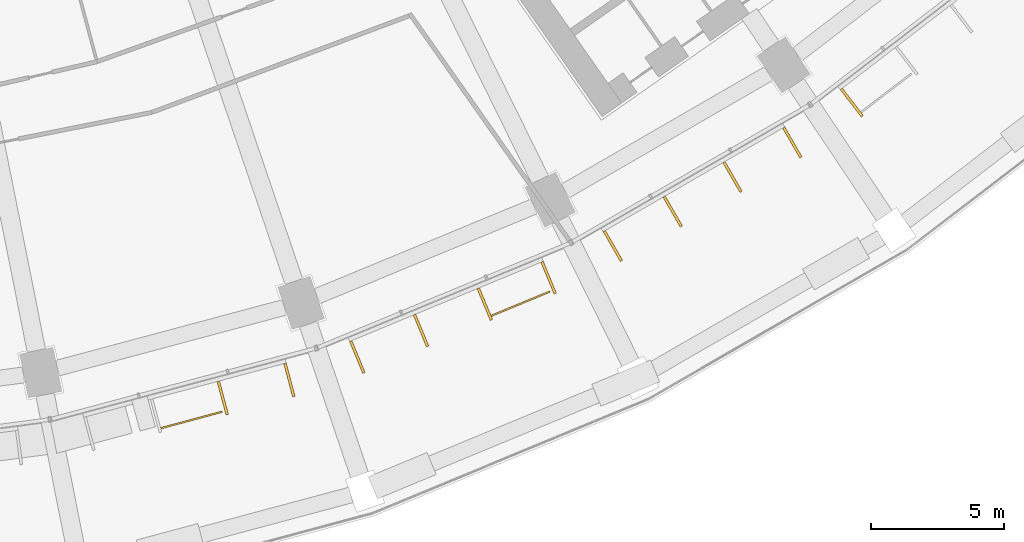
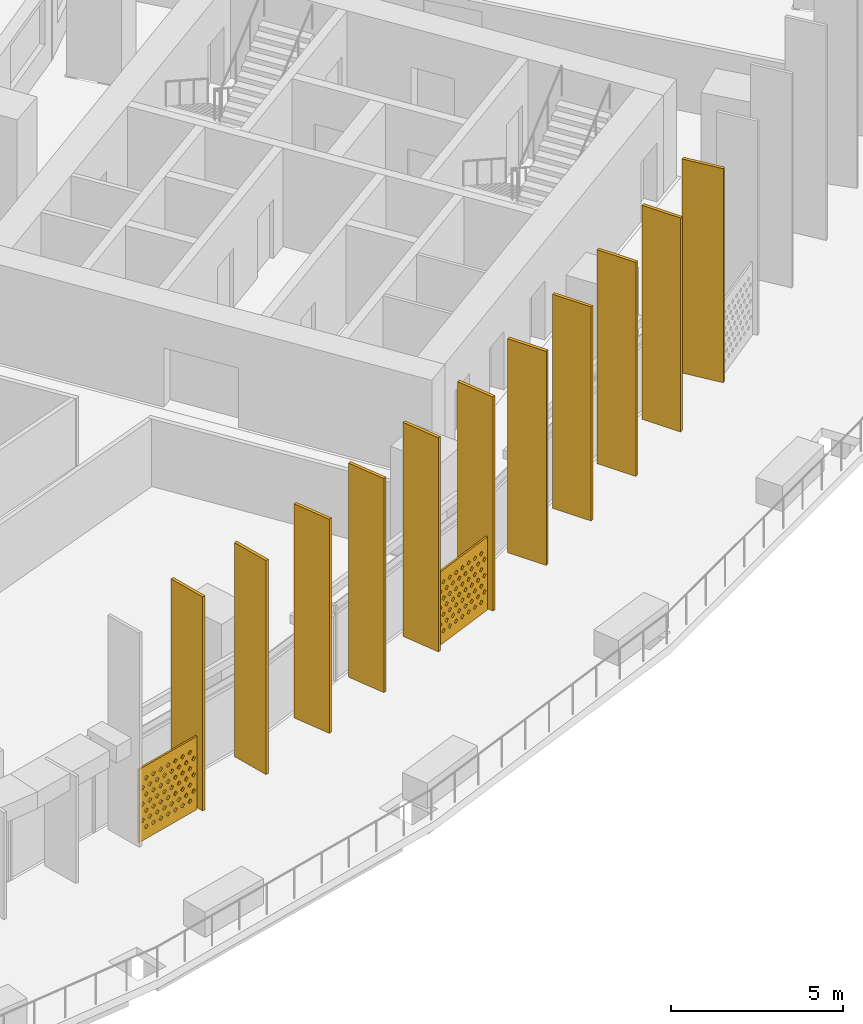
# One storey, part 31 of 35: 13 shading devices.
"""IFC4 building model written with IfcOpenShell, lengths in metres."""

from ifc_helpers import new_model, si_unit, direction, frame, origin, origin_2d, place, context, subcontext, project, spatial, polyline, rectangle, outline, extrude, material, material_profile, profile_set, type_object, element, save


model = new_model("IFC4")

# Units and contexts
model_context = context("Model", 3, precision=1e-05, world=origin(), true_north=direction((0.0, 1.0)))
body_context = subcontext(model_context, "Body", "Model", "MODEL_VIEW")
ifc_project = project(units=[si_unit("LENGTHUNIT", "METRE"), si_unit("AREAUNIT", "SQUARE_METRE"), si_unit("VOLUMEUNIT", "CUBIC_METRE"), si_unit("PLANEANGLEUNIT", "RADIAN"), si_unit("MASSUNIT", "GRAM", prefix="KILO")], contexts=[model_context])

# Site, building, storey
site_placement = place(None, origin())
site = spatial("IfcSite", under=ifc_project, at=site_placement, CompositionType="ELEMENT")
building_placement = place(site_placement, origin())
building = spatial("IfcBuilding", under=site, at=building_placement, Name="Qamariyya Broadcast Tower", CompositionType="ELEMENT")
storey_placement = place(building_placement, frame((0.0, 0.0, 40.5)))
storey = spatial("IfcBuildingStorey", under=building, at=storey_placement, Name="L06", CompositionType="ELEMENT", Elevation=40.5)

# Shading devices
ifc_material_1 = material(Name="Perforated glazed terracotta", Category="masonry")
ifc_material_profile_1 = material_profile(ifc_material_1, outline(polyline([(-1.199951171875, -1.300048828125), (1.199951171875, -1.300048828125), (1.199951171875, 1.300048828125), (-1.199951171875, 1.300048828125), (-1.199951171875, -1.300048828125)]), holes=[polyline([(-0.81494140625, -0.86669921875), (-0.89990234375, -0.78173828125), (-0.985107421875, -0.86669921875), (-0.89990234375, -0.95166015625), (-0.81494140625, -0.86669921875)]), polyline([(-0.514892578125, -0.86669921875), (-0.60009765625, -0.78173828125), (-0.68505859375, -0.86669921875), (-0.60009765625, -0.95166015625), (-0.514892578125, -0.86669921875)]), polyline([(-0.215087890625, -0.86669921875), (-0.300048828125, -0.78173828125), (-0.385009765625, -0.86669921875), (-0.300048828125, -0.95166015625), (-0.215087890625, -0.86669921875)]), polyline([(0.0849609375, -0.86669921875), (0.0, -0.78173828125), (-0.0849609375, -0.86669921875), (0.0, -0.95166015625), (0.0849609375, -0.86669921875)]), polyline([(0.385009765625, -0.86669921875), (0.300048828125, -0.78173828125), (0.215087890625, -0.86669921875), (0.300048828125, -0.95166015625), (0.385009765625, -0.86669921875)]), polyline([(0.68505859375, -0.86669921875), (0.60009765625, -0.78173828125), (0.514892578125, -0.86669921875), (0.60009765625, -0.95166015625), (0.68505859375, -0.86669921875)]), polyline([(0.985107421875, -0.86669921875), (0.89990234375, -0.78173828125), (0.81494140625, -0.86669921875), (0.89990234375, -0.95166015625), (0.985107421875, -0.86669921875)]), polyline([(-0.965087890625, -0.577880859375), (-1.050048828125, -0.49267578125), (-1.135009765625, -0.577880859375), (-1.050048828125, -0.662841796875), (-0.965087890625, -0.577880859375)]), polyline([(-0.6650390625, -0.577880859375), (-0.75, -0.49267578125), (-0.8349609375, -0.577880859375), (-0.75, -0.662841796875), (-0.6650390625, -0.577880859375)]), polyline([(-0.364990234375, -0.577880859375), (-0.449951171875, -0.49267578125), (-0.534912109375, -0.577880859375), (-0.449951171875, -0.662841796875), (-0.364990234375, -0.577880859375)]), polyline([(-0.06494140625, -0.577880859375), (-0.14990234375, -0.49267578125), (-0.235107421875, -0.577880859375), (-0.14990234375, -0.662841796875), (-0.06494140625, -0.577880859375)]), polyline([(0.235107421875, -0.577880859375), (0.14990234375, -0.49267578125), (0.06494140625, -0.577880859375), (0.14990234375, -0.662841796875), (0.235107421875, -0.577880859375)]), polyline([(0.534912109375, -0.577880859375), (0.449951171875, -0.49267578125), (0.364990234375, -0.577880859375), (0.449951171875, -0.662841796875), (0.534912109375, -0.577880859375)]), polyline([(0.8349609375, -0.577880859375), (0.75, -0.49267578125), (0.6650390625, -0.577880859375), (0.75, -0.662841796875), (0.8349609375, -0.577880859375)]), polyline([(1.135009765625, -0.577880859375), (1.050048828125, -0.49267578125), (0.965087890625, -0.577880859375), (1.050048828125, -0.662841796875), (1.135009765625, -0.577880859375)]), polyline([(-0.81494140625, -0.288818359375), (-0.89990234375, -0.203857421875), (-0.985107421875, -0.288818359375), (-0.89990234375, -0.373779296875), (-0.81494140625, -0.288818359375)]), polyline([(-0.514892578125, -0.288818359375), (-0.60009765625, -0.203857421875), (-0.68505859375, -0.288818359375), (-0.60009765625, -0.373779296875), (-0.514892578125, -0.288818359375)]), polyline([(-0.215087890625, -0.288818359375), (-0.300048828125, -0.203857421875), (-0.385009765625, -0.288818359375), (-0.300048828125, -0.373779296875), (-0.215087890625, -0.288818359375)]), polyline([(0.0849609375, -0.288818359375), (0.0, -0.203857421875), (-0.0849609375, -0.288818359375), (0.0, -0.373779296875), (0.0849609375, -0.288818359375)]), polyline([(0.385009765625, -0.288818359375), (0.300048828125, -0.203857421875), (0.215087890625, -0.288818359375), (0.300048828125, -0.373779296875), (0.385009765625, -0.288818359375)]), polyline([(0.68505859375, -0.288818359375), (0.60009765625, -0.203857421875), (0.514892578125, -0.288818359375), (0.60009765625, -0.373779296875), (0.68505859375, -0.288818359375)]), polyline([(0.985107421875, -0.288818359375), (0.89990234375, -0.203857421875), (0.81494140625, -0.288818359375), (0.89990234375, -0.373779296875), (0.985107421875, -0.288818359375)]), polyline([(-0.965087890625, 0.0), (-1.050048828125, 0.0849609375), (-1.135009765625, 0.0), (-1.050048828125, -0.0849609375), (-0.965087890625, 0.0)]), polyline([(-0.6650390625, 0.0), (-0.75, 0.0849609375), (-0.8349609375, 0.0), (-0.75, -0.0849609375), (-0.6650390625, 0.0)]), polyline([(-0.364990234375, 0.0), (-0.449951171875, 0.0849609375), (-0.534912109375, 0.0), (-0.449951171875, -0.0849609375), (-0.364990234375, 0.0)]), polyline([(-0.06494140625, 0.0), (-0.14990234375, 0.0849609375), (-0.235107421875, 0.0), (-0.14990234375, -0.0849609375), (-0.06494140625, 0.0)]), polyline([(0.235107421875, 0.0), (0.14990234375, 0.0849609375), (0.06494140625, 0.0), (0.14990234375, -0.0849609375), (0.235107421875, 0.0)]), polyline([(0.534912109375, 0.0), (0.449951171875, 0.0849609375), (0.364990234375, 0.0), (0.449951171875, -0.0849609375), (0.534912109375, 0.0)]), polyline([(0.8349609375, 0.0), (0.75, 0.0849609375), (0.6650390625, 0.0), (0.75, -0.0849609375), (0.8349609375, 0.0)]), polyline([(1.135009765625, 0.0), (1.050048828125, 0.0849609375), (0.965087890625, 0.0), (1.050048828125, -0.0849609375), (1.135009765625, 0.0)]), polyline([(-0.81494140625, 0.288818359375), (-0.89990234375, 0.373779296875), (-0.985107421875, 0.288818359375), (-0.89990234375, 0.203857421875), (-0.81494140625, 0.288818359375)]), polyline([(-0.514892578125, 0.288818359375), (-0.60009765625, 0.373779296875), (-0.68505859375, 0.288818359375), (-0.60009765625, 0.203857421875), (-0.514892578125, 0.288818359375)]), polyline([(-0.215087890625, 0.288818359375), (-0.300048828125, 0.373779296875), (-0.385009765625, 0.288818359375), (-0.300048828125, 0.203857421875), (-0.215087890625, 0.288818359375)]), polyline([(0.0849609375, 0.288818359375), (0.0, 0.373779296875), (-0.0849609375, 0.288818359375), (0.0, 0.203857421875), (0.0849609375, 0.288818359375)]), polyline([(0.385009765625, 0.288818359375), (0.300048828125, 0.373779296875), (0.215087890625, 0.288818359375), (0.300048828125, 0.203857421875), (0.385009765625, 0.288818359375)]), polyline([(0.68505859375, 0.288818359375), (0.60009765625, 0.373779296875), (0.514892578125, 0.288818359375), (0.60009765625, 0.203857421875), (0.68505859375, 0.288818359375)]), polyline([(0.985107421875, 0.288818359375), (0.89990234375, 0.373779296875), (0.81494140625, 0.288818359375), (0.89990234375, 0.203857421875), (0.985107421875, 0.288818359375)]), polyline([(-0.965087890625, 0.577880859375), (-1.050048828125, 0.662841796875), (-1.135009765625, 0.577880859375), (-1.050048828125, 0.49267578125), (-0.965087890625, 0.577880859375)]), polyline([(-0.6650390625, 0.577880859375), (-0.75, 0.662841796875), (-0.8349609375, 0.577880859375), (-0.75, 0.49267578125), (-0.6650390625, 0.577880859375)]), polyline([(-0.364990234375, 0.577880859375), (-0.449951171875, 0.662841796875), (-0.534912109375, 0.577880859375), (-0.449951171875, 0.49267578125), (-0.364990234375, 0.577880859375)]), polyline([(-0.06494140625, 0.577880859375), (-0.14990234375, 0.662841796875), (-0.235107421875, 0.577880859375), (-0.14990234375, 0.49267578125), (-0.06494140625, 0.577880859375)]), polyline([(0.235107421875, 0.577880859375), (0.14990234375, 0.662841796875), (0.06494140625, 0.577880859375), (0.14990234375, 0.49267578125), (0.235107421875, 0.577880859375)]), polyline([(0.534912109375, 0.577880859375), (0.449951171875, 0.662841796875), (0.364990234375, 0.577880859375), (0.449951171875, 0.49267578125), (0.534912109375, 0.577880859375)]), polyline([(0.8349609375, 0.577880859375), (0.75, 0.662841796875), (0.6650390625, 0.577880859375), (0.75, 0.49267578125), (0.8349609375, 0.577880859375)]), polyline([(1.135009765625, 0.577880859375), (1.050048828125, 0.662841796875), (0.965087890625, 0.577880859375), (1.050048828125, 0.49267578125), (1.135009765625, 0.577880859375)]), polyline([(-0.81494140625, 0.86669921875), (-0.89990234375, 0.95166015625), (-0.985107421875, 0.86669921875), (-0.89990234375, 0.78173828125), (-0.81494140625, 0.86669921875)]), polyline([(-0.514892578125, 0.86669921875), (-0.60009765625, 0.95166015625), (-0.68505859375, 0.86669921875), (-0.60009765625, 0.78173828125), (-0.514892578125, 0.86669921875)]), polyline([(-0.215087890625, 0.86669921875), (-0.300048828125, 0.95166015625), (-0.385009765625, 0.86669921875), (-0.300048828125, 0.78173828125), (-0.215087890625, 0.86669921875)]), polyline([(0.0849609375, 0.86669921875), (0.0, 0.95166015625), (-0.0849609375, 0.86669921875), (0.0, 0.78173828125), (0.0849609375, 0.86669921875)]), polyline([(0.385009765625, 0.86669921875), (0.300048828125, 0.95166015625), (0.215087890625, 0.86669921875), (0.300048828125, 0.78173828125), (0.385009765625, 0.86669921875)]), polyline([(0.68505859375, 0.86669921875), (0.60009765625, 0.95166015625), (0.514892578125, 0.86669921875), (0.60009765625, 0.78173828125), (0.68505859375, 0.86669921875)]), polyline([(0.985107421875, 0.86669921875), (0.89990234375, 0.95166015625), (0.81494140625, 0.86669921875), (0.89990234375, 0.78173828125), (0.985107421875, 0.86669921875)])]))
ifc_profile_set_1 = profile_set([ifc_material_profile_1], Name="Perforated glazed terracotta")
shading_device_type_1 = type_object("IfcShadingDeviceType", Name="Perforated terracotta screen 2400 x 2600", PredefinedType="USERDEFINED", material=ifc_profile_set_1)
shading_device_1_placement = place(storey_placement, frame((20.848876953125, -78.011474609375, 1.35009765625), z_axis=(0.259682438219, -0.965694067125, 0.0), x_axis=(0.965694067125, 0.259682438219, 0.0)))
element("IfcShadingDevice", 1, at=shading_device_1_placement, inside=storey, type_object=shading_device_type_1, Name="e-scr-L06-10-1", ObjectType="SCREEN", PredefinedType="USERDEFINED", context=body_context, shape_type="SweptSolid", body=[
    extrude(outline(polyline([(-1.199951171875, -1.300048828125), (1.199951171875, -1.300048828125), (1.199951171875, 1.300048828125), (-1.199951171875, 1.300048828125), (-1.199951171875, -1.300048828125)]), holes=[polyline([(-0.81494140625, -0.86669921875), (-0.89990234375, -0.78173828125), (-0.985107421875, -0.86669921875), (-0.89990234375, -0.95166015625), (-0.81494140625, -0.86669921875)]), polyline([(-0.514892578125, -0.86669921875), (-0.60009765625, -0.78173828125), (-0.68505859375, -0.86669921875), (-0.60009765625, -0.95166015625), (-0.514892578125, -0.86669921875)]), polyline([(-0.215087890625, -0.86669921875), (-0.300048828125, -0.78173828125), (-0.385009765625, -0.86669921875), (-0.300048828125, -0.95166015625), (-0.215087890625, -0.86669921875)]), polyline([(0.0849609375, -0.86669921875), (0.0, -0.78173828125), (-0.0849609375, -0.86669921875), (0.0, -0.95166015625), (0.0849609375, -0.86669921875)]), polyline([(0.385009765625, -0.86669921875), (0.300048828125, -0.78173828125), (0.215087890625, -0.86669921875), (0.300048828125, -0.95166015625), (0.385009765625, -0.86669921875)]), polyline([(0.68505859375, -0.86669921875), (0.60009765625, -0.78173828125), (0.514892578125, -0.86669921875), (0.60009765625, -0.95166015625), (0.68505859375, -0.86669921875)]), polyline([(0.985107421875, -0.86669921875), (0.89990234375, -0.78173828125), (0.81494140625, -0.86669921875), (0.89990234375, -0.95166015625), (0.985107421875, -0.86669921875)]), polyline([(-0.965087890625, -0.577880859375), (-1.050048828125, -0.49267578125), (-1.135009765625, -0.577880859375), (-1.050048828125, -0.662841796875), (-0.965087890625, -0.577880859375)]), polyline([(-0.6650390625, -0.577880859375), (-0.75, -0.49267578125), (-0.8349609375, -0.577880859375), (-0.75, -0.662841796875), (-0.6650390625, -0.577880859375)]), polyline([(-0.364990234375, -0.577880859375), (-0.449951171875, -0.49267578125), (-0.534912109375, -0.577880859375), (-0.449951171875, -0.662841796875), (-0.364990234375, -0.577880859375)]), polyline([(-0.06494140625, -0.577880859375), (-0.14990234375, -0.49267578125), (-0.235107421875, -0.577880859375), (-0.14990234375, -0.662841796875), (-0.06494140625, -0.577880859375)]), polyline([(0.235107421875, -0.577880859375), (0.14990234375, -0.49267578125), (0.06494140625, -0.577880859375), (0.14990234375, -0.662841796875), (0.235107421875, -0.577880859375)]), polyline([(0.534912109375, -0.577880859375), (0.449951171875, -0.49267578125), (0.364990234375, -0.577880859375), (0.449951171875, -0.662841796875), (0.534912109375, -0.577880859375)]), polyline([(0.8349609375, -0.577880859375), (0.75, -0.49267578125), (0.6650390625, -0.577880859375), (0.75, -0.662841796875), (0.8349609375, -0.577880859375)]), polyline([(1.135009765625, -0.577880859375), (1.050048828125, -0.49267578125), (0.965087890625, -0.577880859375), (1.050048828125, -0.662841796875), (1.135009765625, -0.577880859375)]), polyline([(-0.81494140625, -0.288818359375), (-0.89990234375, -0.203857421875), (-0.985107421875, -0.288818359375), (-0.89990234375, -0.373779296875), (-0.81494140625, -0.288818359375)]), polyline([(-0.514892578125, -0.288818359375), (-0.60009765625, -0.203857421875), (-0.68505859375, -0.288818359375), (-0.60009765625, -0.373779296875), (-0.514892578125, -0.288818359375)]), polyline([(-0.215087890625, -0.288818359375), (-0.300048828125, -0.203857421875), (-0.385009765625, -0.288818359375), (-0.300048828125, -0.373779296875), (-0.215087890625, -0.288818359375)]), polyline([(0.0849609375, -0.288818359375), (0.0, -0.203857421875), (-0.0849609375, -0.288818359375), (0.0, -0.373779296875), (0.0849609375, -0.288818359375)]), polyline([(0.385009765625, -0.288818359375), (0.300048828125, -0.203857421875), (0.215087890625, -0.288818359375), (0.300048828125, -0.373779296875), (0.385009765625, -0.288818359375)]), polyline([(0.68505859375, -0.288818359375), (0.60009765625, -0.203857421875), (0.514892578125, -0.288818359375), (0.60009765625, -0.373779296875), (0.68505859375, -0.288818359375)]), polyline([(0.985107421875, -0.288818359375), (0.89990234375, -0.203857421875), (0.81494140625, -0.288818359375), (0.89990234375, -0.373779296875), (0.985107421875, -0.288818359375)]), polyline([(-0.965087890625, 0.0), (-1.050048828125, 0.0849609375), (-1.135009765625, 0.0), (-1.050048828125, -0.0849609375), (-0.965087890625, 0.0)]), polyline([(-0.6650390625, 0.0), (-0.75, 0.0849609375), (-0.8349609375, 0.0), (-0.75, -0.0849609375), (-0.6650390625, 0.0)]), polyline([(-0.364990234375, 0.0), (-0.449951171875, 0.0849609375), (-0.534912109375, 0.0), (-0.449951171875, -0.0849609375), (-0.364990234375, 0.0)]), polyline([(-0.06494140625, 0.0), (-0.14990234375, 0.0849609375), (-0.235107421875, 0.0), (-0.14990234375, -0.0849609375), (-0.06494140625, 0.0)]), polyline([(0.235107421875, 0.0), (0.14990234375, 0.0849609375), (0.06494140625, 0.0), (0.14990234375, -0.0849609375), (0.235107421875, 0.0)]), polyline([(0.534912109375, 0.0), (0.449951171875, 0.0849609375), (0.364990234375, 0.0), (0.449951171875, -0.0849609375), (0.534912109375, 0.0)]), polyline([(0.8349609375, 0.0), (0.75, 0.0849609375), (0.6650390625, 0.0), (0.75, -0.0849609375), (0.8349609375, 0.0)]), polyline([(1.135009765625, 0.0), (1.050048828125, 0.0849609375), (0.965087890625, 0.0), (1.050048828125, -0.0849609375), (1.135009765625, 0.0)]), polyline([(-0.81494140625, 0.288818359375), (-0.89990234375, 0.373779296875), (-0.985107421875, 0.288818359375), (-0.89990234375, 0.203857421875), (-0.81494140625, 0.288818359375)]), polyline([(-0.514892578125, 0.288818359375), (-0.60009765625, 0.373779296875), (-0.68505859375, 0.288818359375), (-0.60009765625, 0.203857421875), (-0.514892578125, 0.288818359375)]), polyline([(-0.215087890625, 0.288818359375), (-0.300048828125, 0.373779296875), (-0.385009765625, 0.288818359375), (-0.300048828125, 0.203857421875), (-0.215087890625, 0.288818359375)]), polyline([(0.0849609375, 0.288818359375), (0.0, 0.373779296875), (-0.0849609375, 0.288818359375), (0.0, 0.203857421875), (0.0849609375, 0.288818359375)]), polyline([(0.385009765625, 0.288818359375), (0.300048828125, 0.373779296875), (0.215087890625, 0.288818359375), (0.300048828125, 0.203857421875), (0.385009765625, 0.288818359375)]), polyline([(0.68505859375, 0.288818359375), (0.60009765625, 0.373779296875), (0.514892578125, 0.288818359375), (0.60009765625, 0.203857421875), (0.68505859375, 0.288818359375)]), polyline([(0.985107421875, 0.288818359375), (0.89990234375, 0.373779296875), (0.81494140625, 0.288818359375), (0.89990234375, 0.203857421875), (0.985107421875, 0.288818359375)]), polyline([(-0.965087890625, 0.577880859375), (-1.050048828125, 0.662841796875), (-1.135009765625, 0.577880859375), (-1.050048828125, 0.49267578125), (-0.965087890625, 0.577880859375)]), polyline([(-0.6650390625, 0.577880859375), (-0.75, 0.662841796875), (-0.8349609375, 0.577880859375), (-0.75, 0.49267578125), (-0.6650390625, 0.577880859375)]), polyline([(-0.364990234375, 0.577880859375), (-0.449951171875, 0.662841796875), (-0.534912109375, 0.577880859375), (-0.449951171875, 0.49267578125), (-0.364990234375, 0.577880859375)]), polyline([(-0.06494140625, 0.577880859375), (-0.14990234375, 0.662841796875), (-0.235107421875, 0.577880859375), (-0.14990234375, 0.49267578125), (-0.06494140625, 0.577880859375)]), polyline([(0.235107421875, 0.577880859375), (0.14990234375, 0.662841796875), (0.06494140625, 0.577880859375), (0.14990234375, 0.49267578125), (0.235107421875, 0.577880859375)]), polyline([(0.534912109375, 0.577880859375), (0.449951171875, 0.662841796875), (0.364990234375, 0.577880859375), (0.449951171875, 0.49267578125), (0.534912109375, 0.577880859375)]), polyline([(0.8349609375, 0.577880859375), (0.75, 0.662841796875), (0.6650390625, 0.577880859375), (0.75, 0.49267578125), (0.8349609375, 0.577880859375)]), polyline([(1.135009765625, 0.577880859375), (1.050048828125, 0.662841796875), (0.965087890625, 0.577880859375), (1.050048828125, 0.49267578125), (1.135009765625, 0.577880859375)]), polyline([(-0.81494140625, 0.86669921875), (-0.89990234375, 0.95166015625), (-0.985107421875, 0.86669921875), (-0.89990234375, 0.78173828125), (-0.81494140625, 0.86669921875)]), polyline([(-0.514892578125, 0.86669921875), (-0.60009765625, 0.95166015625), (-0.68505859375, 0.86669921875), (-0.60009765625, 0.78173828125), (-0.514892578125, 0.86669921875)]), polyline([(-0.215087890625, 0.86669921875), (-0.300048828125, 0.95166015625), (-0.385009765625, 0.86669921875), (-0.300048828125, 0.78173828125), (-0.215087890625, 0.86669921875)]), polyline([(0.0849609375, 0.86669921875), (0.0, 0.95166015625), (-0.0849609375, 0.86669921875), (0.0, 0.78173828125), (0.0849609375, 0.86669921875)]), polyline([(0.385009765625, 0.86669921875), (0.300048828125, 0.95166015625), (0.215087890625, 0.86669921875), (0.300048828125, 0.78173828125), (0.385009765625, 0.86669921875)]), polyline([(0.68505859375, 0.86669921875), (0.60009765625, 0.95166015625), (0.514892578125, 0.86669921875), (0.60009765625, 0.78173828125), (0.68505859375, 0.86669921875)]), polyline([(0.985107421875, 0.86669921875), (0.89990234375, 0.95166015625), (0.81494140625, 0.86669921875), (0.89990234375, 0.78173828125), (0.985107421875, 0.86669921875)])]), origin(), (0.0, 0.0, 1.0), 0.06005859375),
])
shading_device_2_placement = place(storey_placement, frame((33.259521484375, -73.6259765625, 1.35009765625), z_axis=(0.382591441855, -0.923917630863, 0.0), x_axis=(0.923917630863, 0.382591441855, 0.0)))
element("IfcShadingDevice", 2, at=shading_device_2_placement, inside=storey, type_object=shading_device_type_1, Name="e-scr-L06-11-2", ObjectType="SCREEN", PredefinedType="USERDEFINED", context=body_context, shape_type="SweptSolid", body=[
    extrude(outline(polyline([(-1.199951171875, -1.300048828125), (1.199951171875, -1.300048828125), (1.199951171875, 1.300048828125), (-1.199951171875, 1.300048828125), (-1.199951171875, -1.300048828125)]), holes=[polyline([(-0.81494140625, -0.86669921875), (-0.89990234375, -0.78173828125), (-0.985107421875, -0.86669921875), (-0.89990234375, -0.95166015625), (-0.81494140625, -0.86669921875)]), polyline([(-0.514892578125, -0.86669921875), (-0.60009765625, -0.78173828125), (-0.68505859375, -0.86669921875), (-0.60009765625, -0.95166015625), (-0.514892578125, -0.86669921875)]), polyline([(-0.215087890625, -0.86669921875), (-0.300048828125, -0.78173828125), (-0.385009765625, -0.86669921875), (-0.300048828125, -0.95166015625), (-0.215087890625, -0.86669921875)]), polyline([(0.0849609375, -0.86669921875), (0.0, -0.78173828125), (-0.0849609375, -0.86669921875), (0.0, -0.95166015625), (0.0849609375, -0.86669921875)]), polyline([(0.385009765625, -0.86669921875), (0.300048828125, -0.78173828125), (0.215087890625, -0.86669921875), (0.300048828125, -0.95166015625), (0.385009765625, -0.86669921875)]), polyline([(0.68505859375, -0.86669921875), (0.60009765625, -0.78173828125), (0.514892578125, -0.86669921875), (0.60009765625, -0.95166015625), (0.68505859375, -0.86669921875)]), polyline([(0.985107421875, -0.86669921875), (0.89990234375, -0.78173828125), (0.81494140625, -0.86669921875), (0.89990234375, -0.95166015625), (0.985107421875, -0.86669921875)]), polyline([(-0.965087890625, -0.577880859375), (-1.050048828125, -0.49267578125), (-1.135009765625, -0.577880859375), (-1.050048828125, -0.662841796875), (-0.965087890625, -0.577880859375)]), polyline([(-0.6650390625, -0.577880859375), (-0.75, -0.49267578125), (-0.8349609375, -0.577880859375), (-0.75, -0.662841796875), (-0.6650390625, -0.577880859375)]), polyline([(-0.364990234375, -0.577880859375), (-0.449951171875, -0.49267578125), (-0.534912109375, -0.577880859375), (-0.449951171875, -0.662841796875), (-0.364990234375, -0.577880859375)]), polyline([(-0.06494140625, -0.577880859375), (-0.14990234375, -0.49267578125), (-0.235107421875, -0.577880859375), (-0.14990234375, -0.662841796875), (-0.06494140625, -0.577880859375)]), polyline([(0.235107421875, -0.577880859375), (0.14990234375, -0.49267578125), (0.06494140625, -0.577880859375), (0.14990234375, -0.662841796875), (0.235107421875, -0.577880859375)]), polyline([(0.534912109375, -0.577880859375), (0.449951171875, -0.49267578125), (0.364990234375, -0.577880859375), (0.449951171875, -0.662841796875), (0.534912109375, -0.577880859375)]), polyline([(0.8349609375, -0.577880859375), (0.75, -0.49267578125), (0.6650390625, -0.577880859375), (0.75, -0.662841796875), (0.8349609375, -0.577880859375)]), polyline([(1.135009765625, -0.577880859375), (1.050048828125, -0.49267578125), (0.965087890625, -0.577880859375), (1.050048828125, -0.662841796875), (1.135009765625, -0.577880859375)]), polyline([(-0.81494140625, -0.288818359375), (-0.89990234375, -0.203857421875), (-0.985107421875, -0.288818359375), (-0.89990234375, -0.373779296875), (-0.81494140625, -0.288818359375)]), polyline([(-0.514892578125, -0.288818359375), (-0.60009765625, -0.203857421875), (-0.68505859375, -0.288818359375), (-0.60009765625, -0.373779296875), (-0.514892578125, -0.288818359375)]), polyline([(-0.215087890625, -0.288818359375), (-0.300048828125, -0.203857421875), (-0.385009765625, -0.288818359375), (-0.300048828125, -0.373779296875), (-0.215087890625, -0.288818359375)]), polyline([(0.0849609375, -0.288818359375), (0.0, -0.203857421875), (-0.0849609375, -0.288818359375), (0.0, -0.373779296875), (0.0849609375, -0.288818359375)]), polyline([(0.385009765625, -0.288818359375), (0.300048828125, -0.203857421875), (0.215087890625, -0.288818359375), (0.300048828125, -0.373779296875), (0.385009765625, -0.288818359375)]), polyline([(0.68505859375, -0.288818359375), (0.60009765625, -0.203857421875), (0.514892578125, -0.288818359375), (0.60009765625, -0.373779296875), (0.68505859375, -0.288818359375)]), polyline([(0.985107421875, -0.288818359375), (0.89990234375, -0.203857421875), (0.81494140625, -0.288818359375), (0.89990234375, -0.373779296875), (0.985107421875, -0.288818359375)]), polyline([(-0.965087890625, 0.0), (-1.050048828125, 0.0849609375), (-1.135009765625, 0.0), (-1.050048828125, -0.0849609375), (-0.965087890625, 0.0)]), polyline([(-0.6650390625, 0.0), (-0.75, 0.0849609375), (-0.8349609375, 0.0), (-0.75, -0.0849609375), (-0.6650390625, 0.0)]), polyline([(-0.364990234375, 0.0), (-0.449951171875, 0.0849609375), (-0.534912109375, 0.0), (-0.449951171875, -0.0849609375), (-0.364990234375, 0.0)]), polyline([(-0.06494140625, 0.0), (-0.14990234375, 0.0849609375), (-0.235107421875, 0.0), (-0.14990234375, -0.0849609375), (-0.06494140625, 0.0)]), polyline([(0.235107421875, 0.0), (0.14990234375, 0.0849609375), (0.06494140625, 0.0), (0.14990234375, -0.0849609375), (0.235107421875, 0.0)]), polyline([(0.534912109375, 0.0), (0.449951171875, 0.0849609375), (0.364990234375, 0.0), (0.449951171875, -0.0849609375), (0.534912109375, 0.0)]), polyline([(0.8349609375, 0.0), (0.75, 0.0849609375), (0.6650390625, 0.0), (0.75, -0.0849609375), (0.8349609375, 0.0)]), polyline([(1.135009765625, 0.0), (1.050048828125, 0.0849609375), (0.965087890625, 0.0), (1.050048828125, -0.0849609375), (1.135009765625, 0.0)]), polyline([(-0.81494140625, 0.288818359375), (-0.89990234375, 0.373779296875), (-0.985107421875, 0.288818359375), (-0.89990234375, 0.203857421875), (-0.81494140625, 0.288818359375)]), polyline([(-0.514892578125, 0.288818359375), (-0.60009765625, 0.373779296875), (-0.68505859375, 0.288818359375), (-0.60009765625, 0.203857421875), (-0.514892578125, 0.288818359375)]), polyline([(-0.215087890625, 0.288818359375), (-0.300048828125, 0.373779296875), (-0.385009765625, 0.288818359375), (-0.300048828125, 0.203857421875), (-0.215087890625, 0.288818359375)]), polyline([(0.0849609375, 0.288818359375), (0.0, 0.373779296875), (-0.0849609375, 0.288818359375), (0.0, 0.203857421875), (0.0849609375, 0.288818359375)]), polyline([(0.385009765625, 0.288818359375), (0.300048828125, 0.373779296875), (0.215087890625, 0.288818359375), (0.300048828125, 0.203857421875), (0.385009765625, 0.288818359375)]), polyline([(0.68505859375, 0.288818359375), (0.60009765625, 0.373779296875), (0.514892578125, 0.288818359375), (0.60009765625, 0.203857421875), (0.68505859375, 0.288818359375)]), polyline([(0.985107421875, 0.288818359375), (0.89990234375, 0.373779296875), (0.81494140625, 0.288818359375), (0.89990234375, 0.203857421875), (0.985107421875, 0.288818359375)]), polyline([(-0.965087890625, 0.577880859375), (-1.050048828125, 0.662841796875), (-1.135009765625, 0.577880859375), (-1.050048828125, 0.49267578125), (-0.965087890625, 0.577880859375)]), polyline([(-0.6650390625, 0.577880859375), (-0.75, 0.662841796875), (-0.8349609375, 0.577880859375), (-0.75, 0.49267578125), (-0.6650390625, 0.577880859375)]), polyline([(-0.364990234375, 0.577880859375), (-0.449951171875, 0.662841796875), (-0.534912109375, 0.577880859375), (-0.449951171875, 0.49267578125), (-0.364990234375, 0.577880859375)]), polyline([(-0.06494140625, 0.577880859375), (-0.14990234375, 0.662841796875), (-0.235107421875, 0.577880859375), (-0.14990234375, 0.49267578125), (-0.06494140625, 0.577880859375)]), polyline([(0.235107421875, 0.577880859375), (0.14990234375, 0.662841796875), (0.06494140625, 0.577880859375), (0.14990234375, 0.49267578125), (0.235107421875, 0.577880859375)]), polyline([(0.534912109375, 0.577880859375), (0.449951171875, 0.662841796875), (0.364990234375, 0.577880859375), (0.449951171875, 0.49267578125), (0.534912109375, 0.577880859375)]), polyline([(0.8349609375, 0.577880859375), (0.75, 0.662841796875), (0.6650390625, 0.577880859375), (0.75, 0.49267578125), (0.8349609375, 0.577880859375)]), polyline([(1.135009765625, 0.577880859375), (1.050048828125, 0.662841796875), (0.965087890625, 0.577880859375), (1.050048828125, 0.49267578125), (1.135009765625, 0.577880859375)]), polyline([(-0.81494140625, 0.86669921875), (-0.89990234375, 0.95166015625), (-0.985107421875, 0.86669921875), (-0.89990234375, 0.78173828125), (-0.81494140625, 0.86669921875)]), polyline([(-0.514892578125, 0.86669921875), (-0.60009765625, 0.95166015625), (-0.68505859375, 0.86669921875), (-0.60009765625, 0.78173828125), (-0.514892578125, 0.86669921875)]), polyline([(-0.215087890625, 0.86669921875), (-0.300048828125, 0.95166015625), (-0.385009765625, 0.86669921875), (-0.300048828125, 0.78173828125), (-0.215087890625, 0.86669921875)]), polyline([(0.0849609375, 0.86669921875), (0.0, 0.95166015625), (-0.0849609375, 0.86669921875), (0.0, 0.78173828125), (0.0849609375, 0.86669921875)]), polyline([(0.385009765625, 0.86669921875), (0.300048828125, 0.95166015625), (0.215087890625, 0.86669921875), (0.300048828125, 0.78173828125), (0.385009765625, 0.86669921875)]), polyline([(0.68505859375, 0.86669921875), (0.60009765625, 0.95166015625), (0.514892578125, 0.86669921875), (0.60009765625, 0.78173828125), (0.68505859375, 0.86669921875)]), polyline([(0.985107421875, 0.86669921875), (0.89990234375, 0.95166015625), (0.81494140625, 0.86669921875), (0.89990234375, 0.78173828125), (0.985107421875, 0.86669921875)])]), origin(), (0.0, 0.0, 1.0), 0.06005859375),
])
ifc_material_2 = material(Name="Glazed terracotta", Category="masonry")
ifc_material_profile_2 = material_profile(ifc_material_2, rectangle(XDim=1.300048828125, YDim=0.10009765625, at=origin_2d()))
ifc_profile_set_2 = profile_set([ifc_material_profile_2], Name="Glazed terracotta")
shading_device_type_2 = type_object("IfcShadingDeviceType", Name="Terracotta fin 100 x 1300", PredefinedType="USERDEFINED", material=ifc_profile_set_2)
for number, where, z_axis, x_axis, name in (
    (3, (22.035888671875, -77.20703125, 0.0), (0.0, 0.0, 1.0), (0.258819045103, -0.965925826289, 0.0), "e-fin-L06-10-2"),
    (4, (24.5517578125, -76.53271484375, 0.0), (0.0, 0.0, 1.0), (0.258819045103, -0.965925826289, 0.0), "e-fin-L06-10-3"),
    (5, (27.112060546875, -75.663818359375, 0.0), (0.0, 0.0, 1.0), (0.382683432365, -0.923879532511, 0.0), "e-fin-L06-11-0"),
    (6, (29.518310546875, -74.6669921875, 0.0), (0.0, 0.0, 1.0), (0.382683432365, -0.923879532511, 0.0), "e-fin-L06-11-1"),
    (7, (31.9248046875, -73.670166015625, 0.0), (0.0, 0.0, 1.0), (0.382683432365, -0.923879532511, 0.0), "e-fin-L06-11-2"),
    (8, (34.331298828125, -72.67333984375, 0.0), (0.0, 0.0, 1.0), (0.382683432365, -0.923879532511, 0.0), "e-fin-L06-11-3"),
    (9, (36.756103515625, -71.4775390625, 0.0), (0.0, 0.0, 1.0), (0.5, -0.866025403784, 0.0), "e-fin-L06-12-0"),
    (10, (39.011962890625, -70.17529296875, 0.0), (0.0, 0.0, 1.0), (0.5, -0.866025403784, 0.0), "e-fin-L06-12-1"),
    (11, (41.267578125, -68.872802734375, 0.0), (0.0, 0.0, 1.0), (0.5, -0.866025403784, 0.0), "e-fin-L06-12-2"),
    (12, (43.523193359375, -67.570556640625, 0.0), (0.0, 0.0, 1.0), (0.5, -0.866025403784, 0.0), "e-fin-L06-12-3"),
    (13, (45.771484375, -66.068359375, 0.0), (0.0, 0.0, 1.0), (0.608761429009, -0.793353340291, 0.0), "e-fin-L06-13-0"),
):
    element("IfcShadingDevice", number, at=place(storey_placement, frame(where, z_axis=z_axis, x_axis=x_axis)), inside=storey, type_object=shading_device_type_2, Name=name, ObjectType="FIN", PredefinedType="USERDEFINED", context=body_context, shape_type="SweptSolid", body=[
        extrude(rectangle(XDim=1.300048828125, YDim=0.10009765625, at=origin_2d()), origin(), (0.0, 0.0, 1.0), 7.60009765625),
    ])

save(model, "model.ifc")
